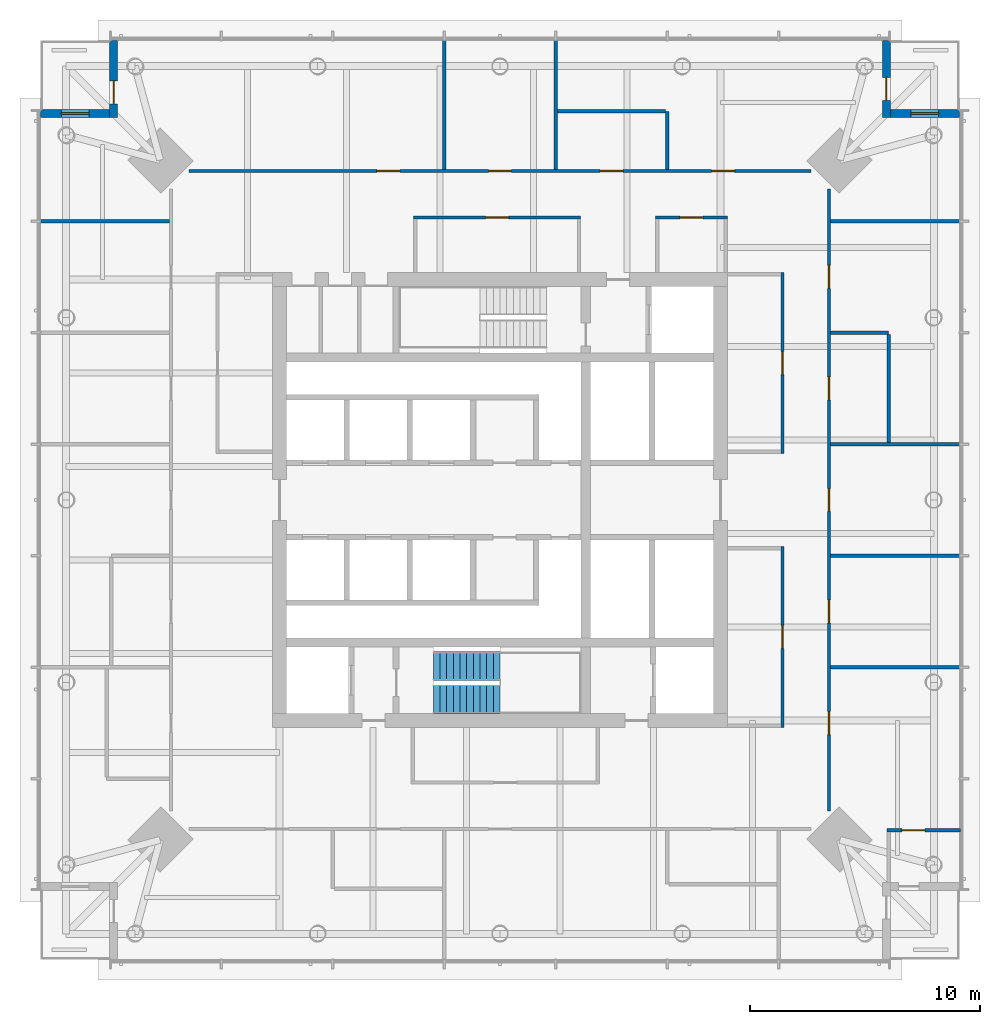
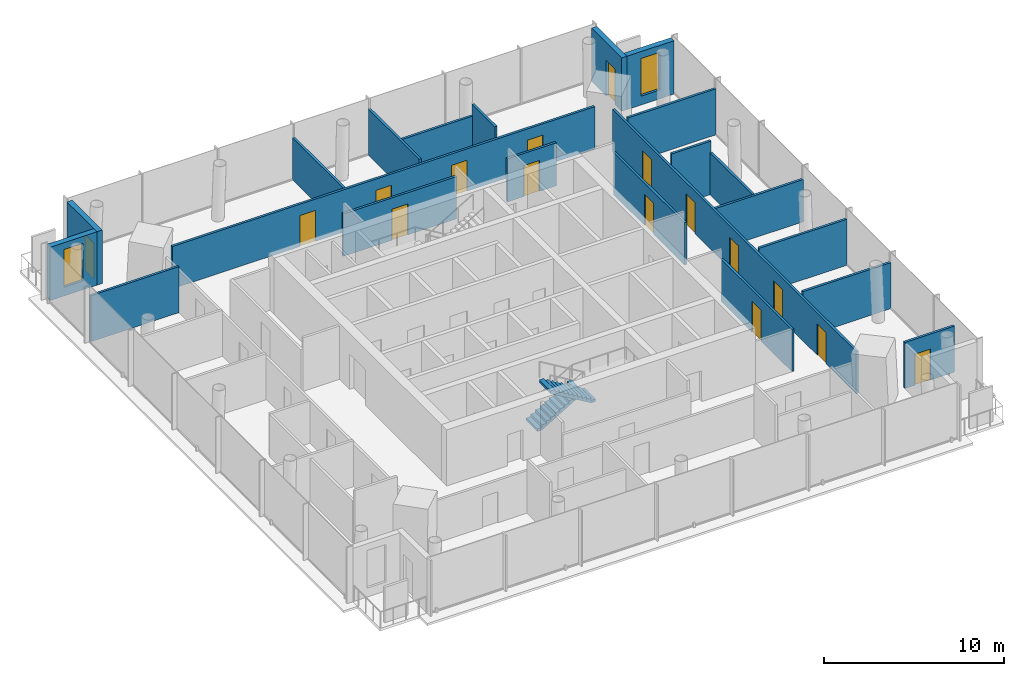
# One storey, part 6 of 10: 22 walls, 16 doors, 2 stair flights, 2 windows, 18 openings, 1 element without a shape of its own.
"""IFC4 building model written with IfcOpenShell, lengths in metres."""

from ifc_helpers import new_model, si_unit, direction, frame, frame_2d, origin, place, context, subcontext, project, spatial, polyline, rectangle, outline, extrude, material, layer, layer_set, type_object, element, fill, aggregate, save


model = new_model("IFC4")

# Units and contexts
model_context = context("Model", 3, precision=1e-05, world=origin(), true_north=direction((0.0, 1.0)))
body_context = subcontext(model_context, "Body", "Model", "MODEL_VIEW")
ifc_project = project(units=[si_unit("LENGTHUNIT", "METRE"), si_unit("AREAUNIT", "SQUARE_METRE"), si_unit("VOLUMEUNIT", "CUBIC_METRE"), si_unit("PLANEANGLEUNIT", "RADIAN"), si_unit("MASSUNIT", "GRAM", prefix="KILO")], contexts=[model_context])

# Site, building, storey
site_placement = place(None, origin())
site = spatial("IfcSite", under=ifc_project, at=site_placement, CompositionType="ELEMENT")
building_placement = place(site_placement, origin())
building = spatial("IfcBuilding", under=site, at=building_placement, Name="Ostroluk Exchange", CompositionType="ELEMENT")
storey_placement = place(building_placement, frame((0.0, 0.0, 180.60009765625)))
storey = spatial("IfcBuildingStorey", under=building, at=storey_placement, Name="L46", CompositionType="ELEMENT", Elevation=180.60009765625)

# Wall, opening, door
ifc_material_1 = material(Name="Limestone", Category="masonry")
ifc_layer_1 = layer(ifc_material_1, 0.35009765625)
ifc_layer_set_1 = layer_set([ifc_layer_1], Name="Limestone facade wall 350")
wall_type_1 = type_object("IfcWallType", Name="Limestone facade wall 350", PredefinedType="SOLIDWALL", material=ifc_layer_set_1)
wall_1_placement = place(storey_placement, frame((61.824951171875, 66.0, 0.0), z_axis=(0.0, 0.0, 1.0), x_axis=(0.0, -1.0, 0.0)))
wall_1 = element("IfcWall", 1, at=wall_1_placement, inside=storey, type_object=wall_type_1, Name="Office tower NE corner wall L46 a", PredefinedType="SOLIDWALL", context=body_context, shape_type="SweptSolid", body=[
    extrude(rectangle(XDim=3.35009765625, YDim=0.35009765625, at=frame_2d((1.675048828125, 0.0))), origin(), (0.0, 0.0, 1.0), 3.619873046875),
])
opening_1_placement = place(wall_1_placement, frame((1.60009765625, 0.0, 0.0)))
opening_1 = element("IfcOpeningElement", 2, at=opening_1_placement, cuts=wall_1, Name="Opening D-B1", PredefinedType="OPENING", context=body_context, shape_type="SweptSolid", body=[
    extrude(rectangle(XDim=1.0, YDim=2.39990234375, at=frame_2d((0.5, 1.199951171875))), frame((0.0, 0.18505859375, 0.0), z_axis=(0.0, -1.0, 0.0), x_axis=(1.0, 0.0, 0.0)), (0.0, 0.0, 1.0), 0.3701171875),
])
ifc_material_2 = material(Name="Bronze framed glazed door", Category="aluminium")
door_type_1 = type_object("IfcDoorType", Name="Balcony door 1000 x 2400", OperationType="SINGLE_SWING_LEFT", PredefinedType="DOOR", material=ifc_material_2)
door_1_placement = place(opening_1_placement, origin())
door_1 = element("IfcDoor", 3, at=door_1_placement, inside=storey, type_object=door_type_1, Name="Office tower NE balcony door L46", OperationType="SINGLE_SWING_RIGHT", OverallHeight=2.39990234375, OverallWidth=1.0, PredefinedType="DOOR", context=body_context, shape_type="SweptSolid", body=[
    extrude(rectangle(XDim=1.0, YDim=2.39990234375, at=frame_2d((0.5, 1.199951171875))), frame((0.0, 0.02490234375, 0.0), z_axis=(0.0, -1.0, 0.0), x_axis=(1.0, 0.0, 0.0)), (0.0, 0.0, 1.0), 0.050048828125),
])
fill(opening_1, door_1)

# Wall, opening, window
wall_2_placement = place(storey_placement, frame((62.0, 62.824951171875, 0.0), z_axis=(0.0, 0.0, 1.0), x_axis=(1.0, 0.0, 0.0)))
wall_2 = element("IfcWall", 4, at=wall_2_placement, inside=storey, type_object=wall_type_1, Name="Office tower NE corner wall L46 b", PredefinedType="SOLIDWALL", context=body_context, shape_type="SweptSolid", body=[
    extrude(rectangle(XDim=3.0, YDim=0.35009765625, at=frame_2d((1.5, 0.0))), origin(), (0.0, 0.0, 1.0), 3.619873046875),
])
opening_2_placement = place(wall_2_placement, frame((0.89990234375, 0.0, 0.60009765625)))
opening_2 = element("IfcOpeningElement", 5, at=opening_2_placement, cuts=wall_2, Name="Opening WN-L1", PredefinedType="OPENING", context=body_context, shape_type="SweptSolid", body=[
    extrude(rectangle(XDim=1.199951171875, YDim=2.550048828125, at=frame_2d((0.60009765625, 1.27490234375))), frame((0.0, 0.18505859375, 0.0), z_axis=(0.0, -1.0, 0.0), x_axis=(1.0, 0.0, 0.0)), (0.0, 0.0, 1.0), 0.3701171875),
])
ifc_material_3 = material(Name="Laminated clear glass", Category="glass")
window_type = type_object("IfcWindowType", Name="Lancet window 1200 x 2550", PartitioningType="SINGLE_PANEL", PredefinedType="WINDOW", material=ifc_material_3)
window_1_placement = place(opening_2_placement, origin())
window_1 = element("IfcWindow", 6, at=window_1_placement, inside=storey, type_object=window_type, Name="Office tower NE lancet window L46", OverallHeight=2.550048828125, OverallWidth=1.199951171875, PartitioningType="SINGLE_PANEL", PredefinedType="WINDOW", context=body_context, shape_type="SweptSolid", body=[
    extrude(rectangle(XDim=1.199951171875, YDim=2.550048828125, at=frame_2d((0.60009765625, 1.27490234375))), frame((0.0, 0.030029296875, 0.0), z_axis=(0.0, -1.0, 0.0), x_axis=(1.0, 0.0, 0.0)), (0.0, 0.0, 1.0), 0.06005859375),
])
fill(opening_2, window_1)

# Wall, opening, door
wall_3_placement = place(storey_placement, frame((28.175048828125, 66.0, 0.0), z_axis=(0.0, 0.0, 1.0), x_axis=(0.0, -1.0, 0.0)))
wall_3 = element("IfcWall", 7, at=wall_3_placement, inside=storey, type_object=wall_type_1, Name="Office tower NW corner wall L46 a", PredefinedType="SOLIDWALL", context=body_context, shape_type="SweptSolid", body=[
    extrude(rectangle(XDim=3.35009765625, YDim=0.35009765625, at=frame_2d((1.675048828125, 0.0))), origin(), (0.0, 0.0, 1.0), 3.619873046875),
])
opening_3_placement = place(wall_3_placement, frame((1.75, 0.0, 0.0)))
opening_3 = element("IfcOpeningElement", 8, at=opening_3_placement, cuts=wall_3, Name="Opening D-B1", PredefinedType="OPENING", context=body_context, shape_type="SweptSolid", body=[
    extrude(rectangle(XDim=1.0, YDim=2.39990234375, at=frame_2d((0.5, 1.199951171875))), frame((0.0, 0.18505859375, 0.0), z_axis=(0.0, -1.0, 0.0), x_axis=(1.0, 0.0, 0.0)), (0.0, 0.0, 1.0), 0.3701171875),
])
door_2_placement = place(opening_3_placement, origin())
door_2 = element("IfcDoor", 9, at=door_2_placement, inside=storey, type_object=door_type_1, Name="Office tower NW balcony door L46", OperationType="SINGLE_SWING_RIGHT", OverallHeight=2.39990234375, OverallWidth=1.0, PredefinedType="DOOR", context=body_context, shape_type="SweptSolid", body=[
    extrude(rectangle(XDim=1.0, YDim=2.39990234375, at=frame_2d((0.5, 1.199951171875))), frame((0.0, 0.02490234375, 0.0), z_axis=(0.0, -1.0, 0.0), x_axis=(1.0, 0.0, 0.0)), (0.0, 0.0, 1.0), 0.050048828125),
])
fill(opening_3, door_2)

# Wall, opening, window
wall_4_placement = place(storey_placement, frame((28.0, 62.824951171875, 0.0), z_axis=(0.0, 0.0, 1.0), x_axis=(-1.0, 0.0, 0.0)))
wall_4 = element("IfcWall", 10, at=wall_4_placement, inside=storey, type_object=wall_type_1, Name="Office tower NW corner wall L46 b", PredefinedType="SOLIDWALL", context=body_context, shape_type="SweptSolid", body=[
    extrude(rectangle(XDim=3.0, YDim=0.35009765625, at=frame_2d((1.5, 0.0))), origin(), (0.0, 0.0, 1.0), 3.619873046875),
])
opening_4_placement = place(wall_4_placement, frame((0.89990234375, 0.0, 0.60009765625)))
opening_4 = element("IfcOpeningElement", 11, at=opening_4_placement, cuts=wall_4, Name="Opening WN-L1", PredefinedType="OPENING", context=body_context, shape_type="SweptSolid", body=[
    extrude(rectangle(XDim=1.199951171875, YDim=2.550048828125, at=frame_2d((0.60009765625, 1.27490234375))), frame((0.0, 0.18505859375, 0.0), z_axis=(0.0, -1.0, 0.0), x_axis=(1.0, 0.0, 0.0)), (0.0, 0.0, 1.0), 0.3701171875),
])
window_2_placement = place(opening_4_placement, origin())
window_2 = element("IfcWindow", 12, at=window_2_placement, inside=storey, type_object=window_type, Name="Office tower NW lancet window L46", OverallHeight=2.550048828125, OverallWidth=1.199951171875, PartitioningType="SINGLE_PANEL", PredefinedType="WINDOW", context=body_context, shape_type="SweptSolid", body=[
    extrude(rectangle(XDim=1.199951171875, YDim=2.550048828125, at=frame_2d((0.60009765625, 1.27490234375))), frame((0.0, 0.030029296875, 0.0), z_axis=(0.0, -1.0, 0.0), x_axis=(1.0, 0.0, 0.0)), (0.0, 0.0, 1.0), 0.06005859375),
])
fill(opening_4, window_2)

# Wall, opening, door
ifc_material_4 = material(Name="Gypsum plasterboard partition", Category="gypsum")
ifc_layer_2 = layer(ifc_material_4, 0.14990234375)
ifc_layer_set_2 = layer_set([ifc_layer_2], Name="Plasterboard partition 150")
wall_type_2 = type_object("IfcWallType", Name="Plasterboard partition 150", PredefinedType="PARTITIONING", material=ifc_layer_set_2)
wall_5_placement = place(storey_placement, frame((57.300048828125, 36.10009765625, 0.0), z_axis=(0.0, 0.0, 1.0), x_axis=(0.0, 1.0, 0.0)))
wall_5 = element("IfcWall", 13, at=wall_5_placement, inside=storey, type_object=wall_type_2, Name="Partition", PredefinedType="PARTITIONING", context=body_context, shape_type="SweptSolid", body=[
    extrude(rectangle(XDim=7.875, YDim=0.14990234375, at=frame_2d((3.9375, 0.0))), origin(), (0.0, 0.0, 1.0), 2.866943359375),
])
opening_5_placement = place(wall_5_placement, frame((3.4375, 0.0, 0.0)))
opening_5 = element("IfcOpeningElement", 14, at=opening_5_placement, cuts=wall_5, Name="Opening D-03", PredefinedType="OPENING", context=body_context, shape_type="SweptSolid", body=[
    extrude(rectangle(XDim=1.0, YDim=2.10009765625, at=frame_2d((0.5, 1.050048828125))), frame((0.0, 0.0849609375, 0.0), z_axis=(0.0, -1.0, 0.0), x_axis=(1.0, 0.0, 0.0)), (0.0, 0.0, 1.0), 0.169921875),
])
ifc_material_5 = material(Name="Timber", Category="wood")
door_type_2 = type_object("IfcDoorType", Name="Internal door 1000 x 2100", OperationType="SINGLE_SWING_LEFT", PredefinedType="DOOR", material=ifc_material_5)
door_3_placement = place(opening_5_placement, origin())
door_3 = element("IfcDoor", 15, at=door_3_placement, inside=storey, type_object=door_type_2, Name="Staff room door", OperationType="SINGLE_SWING_LEFT", OverallHeight=2.10009765625, OverallWidth=1.0, PredefinedType="DOOR", context=body_context, shape_type="SweptSolid", body=[
    extrude(rectangle(XDim=1.0, YDim=2.10009765625, at=frame_2d((0.5, 1.050048828125))), frame((0.0, 0.02490234375, 0.0), z_axis=(0.0, -1.0, 0.0), x_axis=(1.0, 0.0, 0.0)), (0.0, 0.0, 1.0), 0.050048828125),
])
fill(opening_5, door_3)

wall_6_placement = place(storey_placement, frame((57.300048828125, 48.02490234375, 0.0), z_axis=(0.0, 0.0, 1.0), x_axis=(0.0, 1.0, 0.0)))
wall_6 = element("IfcWall", 16, at=wall_6_placement, inside=storey, type_object=wall_type_2, Name="Partition", PredefinedType="PARTITIONING", context=body_context, shape_type="SweptSolid", body=[
    extrude(rectangle(XDim=7.875, YDim=0.14990234375, at=frame_2d((3.9375, 0.0))), origin(), (0.0, 0.0, 1.0), 2.866943359375),
])
opening_6_placement = place(wall_6_placement, frame((3.4375, 0.0, 0.0)))
opening_6 = element("IfcOpeningElement", 17, at=opening_6_placement, cuts=wall_6, Name="Opening D-03", PredefinedType="OPENING", context=body_context, shape_type="SweptSolid", body=[
    extrude(rectangle(XDim=1.0, YDim=2.10009765625, at=frame_2d((0.5, 1.050048828125))), frame((0.0, 0.0849609375, 0.0), z_axis=(0.0, -1.0, 0.0), x_axis=(1.0, 0.0, 0.0)), (0.0, 0.0, 1.0), 0.169921875),
])
door_4_placement = place(opening_6_placement, origin())
door_4 = element("IfcDoor", 18, at=door_4_placement, inside=storey, type_object=door_type_2, Name="Staff room door", OperationType="SINGLE_SWING_LEFT", OverallHeight=2.10009765625, OverallWidth=1.0, PredefinedType="DOOR", context=body_context, shape_type="SweptSolid", body=[
    extrude(rectangle(XDim=1.0, YDim=2.10009765625, at=frame_2d((0.5, 1.050048828125))), frame((0.0, 0.02490234375, 0.0), z_axis=(0.0, -1.0, 0.0), x_axis=(1.0, 0.0, 0.0)), (0.0, 0.0, 1.0), 0.050048828125),
])
fill(opening_6, door_4)

wall_7_placement = place(storey_placement, frame((54.89990234375, 58.300048828125, 0.0), z_axis=(0.0, 0.0, 1.0), x_axis=(-1.0, 0.0, 0.0)))
wall_7 = element("IfcWall", 19, at=wall_7_placement, inside=storey, type_object=wall_type_2, Name="Partition", PredefinedType="PARTITIONING", context=body_context, shape_type="SweptSolid", body=[
    extrude(rectangle(XDim=3.135009765625, YDim=0.14990234375, at=frame_2d((1.5673828125, 0.0))), origin(), (0.0, 0.0, 1.0), 2.919921875),
])
opening_7_placement = place(wall_7_placement, frame((1.0673828125, 0.0, 0.0)))
opening_7 = element("IfcOpeningElement", 20, at=opening_7_placement, cuts=wall_7, Name="Opening D-03", PredefinedType="OPENING", context=body_context, shape_type="SweptSolid", body=[
    extrude(rectangle(XDim=1.0, YDim=2.10009765625, at=frame_2d((0.5, 1.050048828125))), frame((0.0, 0.0849609375, 0.0), z_axis=(0.0, -1.0, 0.0), x_axis=(1.0, 0.0, 0.0)), (0.0, 0.0, 1.0), 0.169921875),
])
door_5_placement = place(opening_7_placement, origin())
door_5 = element("IfcDoor", 21, at=door_5_placement, inside=storey, type_object=door_type_2, Name="Staff room door", OperationType="SINGLE_SWING_RIGHT", OverallHeight=2.10009765625, OverallWidth=1.0, PredefinedType="DOOR", context=body_context, shape_type="SweptSolid", body=[
    extrude(rectangle(XDim=1.0, YDim=2.10009765625, at=frame_2d((0.5, 1.050048828125))), frame((0.0, 0.02490234375, 0.0), z_axis=(0.0, -1.0, 0.0), x_axis=(1.0, 0.0, 0.0)), (0.0, 0.0, 1.0), 0.050048828125),
])
fill(opening_7, door_5)

wall_8_placement = place(storey_placement, frame((48.514892578125, 58.300048828125, 0.0), z_axis=(0.0, 0.0, 1.0), x_axis=(-1.0, 0.0, 0.0)))
wall_8 = element("IfcWall", 22, at=wall_8_placement, inside=storey, type_object=wall_type_2, Name="Partition", PredefinedType="PARTITIONING", context=body_context, shape_type="SweptSolid", body=[
    extrude(rectangle(XDim=7.27783203125, YDim=0.14990234375, at=frame_2d((3.638916015625, 0.0))), origin(), (0.0, 0.0, 1.0), 2.866943359375),
])
opening_8_placement = place(wall_8_placement, frame((3.138916015625, 0.0, 0.0)))
opening_8 = element("IfcOpeningElement", 23, at=opening_8_placement, cuts=wall_8, Name="Opening D-03", PredefinedType="OPENING", context=body_context, shape_type="SweptSolid", body=[
    extrude(rectangle(XDim=1.0, YDim=2.10009765625, at=frame_2d((0.5, 1.050048828125))), frame((0.0, 0.0849609375, 0.0), z_axis=(0.0, -1.0, 0.0), x_axis=(1.0, 0.0, 0.0)), (0.0, 0.0, 1.0), 0.169921875),
])
door_6_placement = place(opening_8_placement, origin())
door_6 = element("IfcDoor", 24, at=door_6_placement, inside=storey, type_object=door_type_2, Name="Staff room door", OperationType="SINGLE_SWING_RIGHT", OverallHeight=2.10009765625, OverallWidth=1.0, PredefinedType="DOOR", context=body_context, shape_type="SweptSolid", body=[
    extrude(rectangle(XDim=1.0, YDim=2.10009765625, at=frame_2d((0.5, 1.050048828125))), frame((0.0, 0.02490234375, 0.0), z_axis=(0.0, -1.0, 0.0), x_axis=(1.0, 0.0, 0.0)), (0.0, 0.0, 1.0), 0.050048828125),
])
fill(opening_8, door_6)

# Wall
wall_9_placement = place(storey_placement, frame((61.925048828125, 48.503662109375, 0.0), z_axis=(0.0, 0.0, 1.0), x_axis=(0.0, 1.0, 0.0)))
element("IfcWall", 25, at=wall_9_placement, inside=storey, type_object=wall_type_2, Name="Partition", PredefinedType="PARTITIONING", context=body_context, shape_type="SweptSolid", body=[
    extrude(rectangle(XDim=4.70703125, YDim=0.14990234375, at=frame_2d((2.353515625, 0.0))), origin(), (0.0, 0.0, 1.0), 2.866943359375),
])

# Wall, openings, doors
wall_10_placement = place(storey_placement, frame((59.324951171875, 32.45703125, 0.0), z_axis=(0.0, 0.0, 1.0), x_axis=(0.0, 1.0, 0.0)))
wall_10 = element("IfcWall", 26, at=wall_10_placement, inside=storey, type_object=wall_type_2, Name="Partition", PredefinedType="PARTITIONING", context=body_context, shape_type="SweptSolid", body=[
    extrude(rectangle(XDim=27.0859375, YDim=0.14990234375, at=frame_2d((13.54296875, 0.0))), origin(), (0.0, 0.0, 1.0), 2.866943359375),
])
opening_9_placement = place(wall_10_placement, frame((3.32861328125, 0.0, 0.0)))
opening_9 = element("IfcOpeningElement", 27, at=opening_9_placement, cuts=wall_10, Name="Opening D-03", PredefinedType="OPENING", context=body_context, shape_type="SweptSolid", body=[
    extrude(rectangle(XDim=1.0, YDim=2.10009765625, at=frame_2d((0.5, 1.050048828125))), frame((0.0, 0.0849609375, 0.0), z_axis=(0.0, -1.0, 0.0), x_axis=(1.0, 0.0, 0.0)), (0.0, 0.0, 1.0), 0.169921875),
])
opening_10_placement = place(wall_10_placement, frame((8.185791015625, 0.0, 0.0)))
opening_10 = element("IfcOpeningElement", 28, at=opening_10_placement, cuts=wall_10, Name="Opening D-03", PredefinedType="OPENING", context=body_context, shape_type="SweptSolid", body=[
    extrude(rectangle(XDim=1.0, YDim=2.10009765625, at=frame_2d((0.5, 1.050048828125))), frame((0.0, 0.0849609375, 0.0), z_axis=(0.0, -1.0, 0.0), x_axis=(1.0, 0.0, 0.0)), (0.0, 0.0, 1.0), 0.169921875),
])
opening_11_placement = place(wall_10_placement, frame((13.04296875, 0.0, 0.0)))
opening_11 = element("IfcOpeningElement", 29, at=opening_11_placement, cuts=wall_10, Name="Opening D-03", PredefinedType="OPENING", context=body_context, shape_type="SweptSolid", body=[
    extrude(rectangle(XDim=1.0, YDim=2.10009765625, at=frame_2d((0.5, 1.050048828125))), frame((0.0, 0.0849609375, 0.0), z_axis=(0.0, -1.0, 0.0), x_axis=(1.0, 0.0, 0.0)), (0.0, 0.0, 1.0), 0.169921875),
])
opening_12_placement = place(wall_10_placement, frame((17.900146484375, 0.0, 0.0)))
opening_12 = element("IfcOpeningElement", 30, at=opening_12_placement, cuts=wall_10, Name="Opening D-03", PredefinedType="OPENING", context=body_context, shape_type="SweptSolid", body=[
    extrude(rectangle(XDim=1.0, YDim=2.10009765625, at=frame_2d((0.5, 1.050048828125))), frame((0.0, 0.0849609375, 0.0), z_axis=(0.0, -1.0, 0.0), x_axis=(1.0, 0.0, 0.0)), (0.0, 0.0, 1.0), 0.169921875),
])
opening_13_placement = place(wall_10_placement, frame((22.75732421875, 0.0, 0.0)))
opening_13 = element("IfcOpeningElement", 31, at=opening_13_placement, cuts=wall_10, Name="Opening D-03", PredefinedType="OPENING", context=body_context, shape_type="SweptSolid", body=[
    extrude(rectangle(XDim=1.0, YDim=2.10009765625, at=frame_2d((0.5, 1.050048828125))), frame((0.0, 0.0849609375, 0.0), z_axis=(0.0, -1.0, 0.0), x_axis=(1.0, 0.0, 0.0)), (0.0, 0.0, 1.0), 0.169921875),
])
door_7_placement = place(opening_9_placement, origin())
door_7 = element("IfcDoor", 32, at=door_7_placement, inside=storey, type_object=door_type_2, Name="Office suite door", OperationType="SINGLE_SWING_LEFT", OverallHeight=2.10009765625, OverallWidth=1.0, PredefinedType="DOOR", context=body_context, shape_type="SweptSolid", body=[
    extrude(rectangle(XDim=1.0, YDim=2.10009765625, at=frame_2d((0.5, 1.050048828125))), frame((0.0, 0.02490234375, 0.0), z_axis=(0.0, -1.0, 0.0), x_axis=(1.0, 0.0, 0.0)), (0.0, 0.0, 1.0), 0.050048828125),
])
fill(opening_9, door_7)
door_8_placement = place(opening_10_placement, origin())
door_8 = element("IfcDoor", 33, at=door_8_placement, inside=storey, type_object=door_type_2, Name="Meeting room door", OperationType="SINGLE_SWING_LEFT", OverallHeight=2.10009765625, OverallWidth=1.0, PredefinedType="DOOR", context=body_context, shape_type="SweptSolid", body=[
    extrude(rectangle(XDim=1.0, YDim=2.10009765625, at=frame_2d((0.5, 1.050048828125))), frame((0.0, 0.02490234375, 0.0), z_axis=(0.0, -1.0, 0.0), x_axis=(1.0, 0.0, 0.0)), (0.0, 0.0, 1.0), 0.050048828125),
])
fill(opening_10, door_8)
door_9_placement = place(opening_11_placement, origin())
door_9 = element("IfcDoor", 34, at=door_9_placement, inside=storey, type_object=door_type_2, Name="Meeting room door", OperationType="SINGLE_SWING_LEFT", OverallHeight=2.10009765625, OverallWidth=1.0, PredefinedType="DOOR", context=body_context, shape_type="SweptSolid", body=[
    extrude(rectangle(XDim=1.0, YDim=2.10009765625, at=frame_2d((0.5, 1.050048828125))), frame((0.0, 0.02490234375, 0.0), z_axis=(0.0, -1.0, 0.0), x_axis=(1.0, 0.0, 0.0)), (0.0, 0.0, 1.0), 0.050048828125),
])
fill(opening_11, door_9)
door_10_placement = place(opening_12_placement, origin())
door_10 = element("IfcDoor", 35, at=door_10_placement, inside=storey, type_object=door_type_2, Name="Pantry door", OperationType="SINGLE_SWING_RIGHT", OverallHeight=2.10009765625, OverallWidth=1.0, PredefinedType="DOOR", context=body_context, shape_type="SweptSolid", body=[
    extrude(rectangle(XDim=1.0, YDim=2.10009765625, at=frame_2d((0.5, 1.050048828125))), frame((0.0, 0.02490234375, 0.0), z_axis=(0.0, -1.0, 0.0), x_axis=(1.0, 0.0, 0.0)), (0.0, 0.0, 1.0), 0.050048828125),
])
fill(opening_12, door_10)
door_11_placement = place(opening_13_placement, origin())
door_11 = element("IfcDoor", 36, at=door_11_placement, inside=storey, type_object=door_type_2, Name="Office door", OperationType="SINGLE_SWING_RIGHT", OverallHeight=2.10009765625, OverallWidth=1.0, PredefinedType="DOOR", context=body_context, shape_type="SweptSolid", body=[
    extrude(rectangle(XDim=1.0, YDim=2.10009765625, at=frame_2d((0.5, 1.050048828125))), frame((0.0, 0.02490234375, 0.0), z_axis=(0.0, -1.0, 0.0), x_axis=(1.0, 0.0, 0.0)), (0.0, 0.0, 1.0), 0.050048828125),
])
fill(opening_13, door_11)

# Walls
for number, where, z_axis, x_axis, name in (
    (37, (59.39990234375, 38.71435546875, 0.0), (0.0, 0.0, 1.0), (1.0, 0.0, 0.0), "Partition"),
    (38, (59.39990234375, 43.571533203125, 0.0), (0.0, 0.0, 1.0), (1.0, 0.0, 0.0), "Partition"),
):
    element("IfcWall", number, at=place(storey_placement, frame(where, z_axis=z_axis, x_axis=x_axis)), inside=storey, type_object=wall_type_2, Name=name, PredefinedType="PARTITIONING", context=body_context, shape_type="SweptSolid", body=[
        extrude(rectangle(XDim=5.64013671875, YDim=0.14990234375, at=frame_2d((2.820068359375, 0.0))), origin(), (0.0, 0.0, 1.0), 3.119873046875),
    ])
wall_11_placement = place(storey_placement, frame((59.39990234375, 48.428466796875, 0.0), z_axis=(0.0, 0.0, 1.0), x_axis=(1.0, 0.0, 0.0)))
element("IfcWall", 39, at=wall_11_placement, inside=storey, type_object=wall_type_2, Name="Partition", PredefinedType="PARTITIONING", context=body_context, shape_type="SweptSolid", body=[
    extrude(rectangle(XDim=5.64013671875, YDim=0.14990234375, at=frame_2d((2.820068359375, 0.0))), origin(), (0.0, 0.0, 1.0), 2.866943359375),
])
wall_12_placement = place(storey_placement, frame((59.39990234375, 53.28564453125, 0.0), z_axis=(0.0, 0.0, 1.0), x_axis=(1.0, 0.0, 0.0)))
element("IfcWall", 40, at=wall_12_placement, inside=storey, type_object=wall_type_2, Name="Partition", PredefinedType="PARTITIONING", context=body_context, shape_type="SweptSolid", body=[
    extrude(rectangle(XDim=2.525146484375, YDim=0.14990234375, at=frame_2d((1.2626953125, 0.0))), origin(), (0.0, 0.0, 1.0), 3.619873046875),
])
wall_13_placement = place(storey_placement, frame((59.39990234375, 58.142822265625, 0.0), z_axis=(0.0, 0.0, 1.0), x_axis=(1.0, 0.0, 0.0)))
element("IfcWall", 41, at=wall_13_placement, inside=storey, type_object=wall_type_2, Name="Partition", PredefinedType="PARTITIONING", context=body_context, shape_type="SweptSolid", body=[
    extrude(rectangle(XDim=5.64013671875, YDim=0.14990234375, at=frame_2d((2.820068359375, 0.0))), origin(), (0.0, 0.0, 1.0), 3.119873046875),
])
wall_14_placement = place(storey_placement, frame((52.210693359375, 62.925048828125, 0.0), z_axis=(0.0, 0.0, 1.0), x_axis=(-1.0, 0.0, 0.0)))
element("IfcWall", 42, at=wall_14_placement, inside=storey, type_object=wall_type_2, Name="Partition", PredefinedType="PARTITIONING", context=body_context, shape_type="SweptSolid", body=[
    extrude(rectangle(XDim=4.70703125, YDim=0.14990234375, at=frame_2d((2.353515625, 0.0))), origin(), (0.0, 0.0, 1.0), 2.866943359375),
])

# Wall, openings, doors
wall_15_placement = place(storey_placement, frame((58.54296875, 60.324951171875, 0.0), z_axis=(0.0, 0.0, 1.0), x_axis=(-1.0, 0.0, 0.0)))
wall_15 = element("IfcWall", 43, at=wall_15_placement, inside=storey, type_object=wall_type_2, Name="Partition", PredefinedType="PARTITIONING", context=body_context, shape_type="SweptSolid", body=[
    extrude(rectangle(XDim=27.0859375, YDim=0.14990234375, at=frame_2d((13.54296875, 0.0))), origin(), (0.0, 0.0, 1.0), 2.866943359375),
])
opening_14_placement = place(wall_15_placement, frame((3.32861328125, 0.0, 0.0)))
opening_14 = element("IfcOpeningElement", 44, at=opening_14_placement, cuts=wall_15, Name="Opening D-03", PredefinedType="OPENING", context=body_context, shape_type="SweptSolid", body=[
    extrude(rectangle(XDim=1.0, YDim=2.10009765625, at=frame_2d((0.5, 1.050048828125))), frame((0.0, 0.0849609375, 0.0), z_axis=(0.0, -1.0, 0.0), x_axis=(1.0, 0.0, 0.0)), (0.0, 0.0, 1.0), 0.169921875),
])
opening_15_placement = place(wall_15_placement, frame((8.185791015625, 0.0, 0.0)))
opening_15 = element("IfcOpeningElement", 45, at=opening_15_placement, cuts=wall_15, Name="Opening D-03", PredefinedType="OPENING", context=body_context, shape_type="SweptSolid", body=[
    extrude(rectangle(XDim=1.0, YDim=2.10009765625, at=frame_2d((0.5, 1.050048828125))), frame((0.0, 0.0849609375, 0.0), z_axis=(0.0, -1.0, 0.0), x_axis=(1.0, 0.0, 0.0)), (0.0, 0.0, 1.0), 0.169921875),
])
opening_16_placement = place(wall_15_placement, frame((13.04296875, 0.0, 0.0)))
opening_16 = element("IfcOpeningElement", 46, at=opening_16_placement, cuts=wall_15, Name="Opening D-03", PredefinedType="OPENING", context=body_context, shape_type="SweptSolid", body=[
    extrude(rectangle(XDim=1.0, YDim=2.10009765625, at=frame_2d((0.5, 1.050048828125))), frame((0.0, 0.0849609375, 0.0), z_axis=(0.0, -1.0, 0.0), x_axis=(1.0, 0.0, 0.0)), (0.0, 0.0, 1.0), 0.169921875),
])
opening_17_placement = place(wall_15_placement, frame((17.900146484375, 0.0, 0.0)))
opening_17 = element("IfcOpeningElement", 47, at=opening_17_placement, cuts=wall_15, Name="Opening D-03", PredefinedType="OPENING", context=body_context, shape_type="SweptSolid", body=[
    extrude(rectangle(XDim=1.0, YDim=2.10009765625, at=frame_2d((0.5, 1.050048828125))), frame((0.0, 0.0849609375, 0.0), z_axis=(0.0, -1.0, 0.0), x_axis=(1.0, 0.0, 0.0)), (0.0, 0.0, 1.0), 0.169921875),
])
door_12_placement = place(opening_14_placement, origin())
door_12 = element("IfcDoor", 48, at=door_12_placement, inside=storey, type_object=door_type_2, Name="Office suite door", OperationType="SINGLE_SWING_LEFT", OverallHeight=2.10009765625, OverallWidth=1.0, PredefinedType="DOOR", context=body_context, shape_type="SweptSolid", body=[
    extrude(rectangle(XDim=1.0, YDim=2.10009765625, at=frame_2d((0.5, 1.050048828125))), frame((0.0, 0.02490234375, 0.0), z_axis=(0.0, -1.0, 0.0), x_axis=(1.0, 0.0, 0.0)), (0.0, 0.0, 1.0), 0.050048828125),
])
fill(opening_14, door_12)
door_13_placement = place(opening_15_placement, origin())
door_13 = element("IfcDoor", 49, at=door_13_placement, inside=storey, type_object=door_type_2, Name="Pantry door", OperationType="SINGLE_SWING_LEFT", OverallHeight=2.10009765625, OverallWidth=1.0, PredefinedType="DOOR", context=body_context, shape_type="SweptSolid", body=[
    extrude(rectangle(XDim=1.0, YDim=2.10009765625, at=frame_2d((0.5, 1.050048828125))), frame((0.0, 0.02490234375, 0.0), z_axis=(0.0, -1.0, 0.0), x_axis=(1.0, 0.0, 0.0)), (0.0, 0.0, 1.0), 0.050048828125),
])
fill(opening_15, door_13)
door_14_placement = place(opening_16_placement, origin())
door_14 = element("IfcDoor", 50, at=door_14_placement, inside=storey, type_object=door_type_2, Name="Office door", OperationType="SINGLE_SWING_LEFT", OverallHeight=2.10009765625, OverallWidth=1.0, PredefinedType="DOOR", context=body_context, shape_type="SweptSolid", body=[
    extrude(rectangle(XDim=1.0, YDim=2.10009765625, at=frame_2d((0.5, 1.050048828125))), frame((0.0, 0.02490234375, 0.0), z_axis=(0.0, -1.0, 0.0), x_axis=(1.0, 0.0, 0.0)), (0.0, 0.0, 1.0), 0.050048828125),
])
fill(opening_16, door_14)
door_15_placement = place(opening_17_placement, origin())
door_15 = element("IfcDoor", 51, at=door_15_placement, inside=storey, type_object=door_type_2, Name="Office door", OperationType="SINGLE_SWING_RIGHT", OverallHeight=2.10009765625, OverallWidth=1.0, PredefinedType="DOOR", context=body_context, shape_type="SweptSolid", body=[
    extrude(rectangle(XDim=1.0, YDim=2.10009765625, at=frame_2d((0.5, 1.050048828125))), frame((0.0, 0.02490234375, 0.0), z_axis=(0.0, -1.0, 0.0), x_axis=(1.0, 0.0, 0.0)), (0.0, 0.0, 1.0), 0.050048828125),
])
fill(opening_17, door_15)

# Walls
wall_16_placement = place(storey_placement, frame((52.28564453125, 60.39990234375, 0.0), z_axis=(0.0, 0.0, 1.0), x_axis=(0.0, 1.0, 0.0)))
element("IfcWall", 52, at=wall_16_placement, inside=storey, type_object=wall_type_2, Name="Partition", PredefinedType="PARTITIONING", context=body_context, shape_type="SweptSolid", body=[
    extrude(rectangle(XDim=2.525146484375, YDim=0.14990234375, at=frame_2d((1.2626953125, 0.0))), origin(), (0.0, 0.0, 1.0), 3.619873046875),
])
wall_17_placement = place(storey_placement, frame((47.428466796875, 60.39990234375, 0.0), z_axis=(0.0, 0.0, 1.0), x_axis=(0.0, 1.0, 0.0)))
element("IfcWall", 53, at=wall_17_placement, inside=storey, type_object=wall_type_2, Name="Partition", PredefinedType="PARTITIONING", context=body_context, shape_type="SweptSolid", body=[
    extrude(rectangle(XDim=5.64013671875, YDim=0.14990234375, at=frame_2d((2.820068359375, 0.0))), origin(), (0.0, 0.0, 1.0), 3.119873046875),
])
wall_18_placement = place(storey_placement, frame((42.571533203125, 60.39990234375, 0.0), z_axis=(0.0, 0.0, 1.0), x_axis=(0.0, 1.0, 0.0)))
element("IfcWall", 54, at=wall_18_placement, inside=storey, type_object=wall_type_2, Name="Partition", PredefinedType="PARTITIONING", context=body_context, shape_type="SweptSolid", body=[
    extrude(rectangle(XDim=5.64013671875, YDim=0.14990234375, at=frame_2d((2.820068359375, 0.0))), origin(), (0.0, 0.0, 1.0), 2.866943359375),
])
wall_19_placement = place(storey_placement, frame((30.60009765625, 58.142822265625, 0.0), z_axis=(0.0, 0.0, 1.0), x_axis=(-1.0, 0.0, 0.0)))
element("IfcWall", 55, at=wall_19_placement, inside=storey, type_object=wall_type_2, Name="Partition", PredefinedType="PARTITIONING", context=body_context, shape_type="SweptSolid", body=[
    extrude(rectangle(XDim=5.64013671875, YDim=0.14990234375, at=frame_2d((2.820068359375, 0.0))), origin(), (0.0, 0.0, 1.0), 3.119873046875),
])

# Wall, opening, door
wall_20_placement = place(storey_placement, frame((61.85009765625, 31.625, 0.0), z_axis=(0.0, 0.0, 1.0), x_axis=(1.0, 0.0, 0.0)))
wall_20 = element("IfcWall", 56, at=wall_20_placement, inside=storey, type_object=wall_type_2, Name="Partition", PredefinedType="PARTITIONING", context=body_context, shape_type="SweptSolid", body=[
    extrude(rectangle(XDim=3.18994140625, YDim=0.14990234375, at=frame_2d((1.594970703125, 0.0))), origin(), (0.0, 0.0, 1.0), 3.119873046875),
])
opening_18_placement = place(wall_20_placement, frame((0.64990234375, 0.0, 0.0)))
opening_18 = element("IfcOpeningElement", 57, at=opening_18_placement, cuts=wall_20, Name="Opening D-03", PredefinedType="OPENING", context=body_context, shape_type="SweptSolid", body=[
    extrude(rectangle(XDim=1.0, YDim=2.10009765625, at=frame_2d((0.5, 1.050048828125))), frame((0.0, 0.0849609375, 0.0), z_axis=(0.0, -1.0, 0.0), x_axis=(1.0, 0.0, 0.0)), (0.0, 0.0, 1.0), 0.169921875),
])
door_16_placement = place(opening_18_placement, origin())
door_16 = element("IfcDoor", 58, at=door_16_placement, inside=storey, type_object=door_type_2, Name="Facade maintenance store door", OperationType="SINGLE_SWING_LEFT", OverallHeight=2.10009765625, OverallWidth=1.0, PredefinedType="DOOR", context=body_context, shape_type="SweptSolid", body=[
    extrude(rectangle(XDim=1.0, YDim=2.10009765625, at=frame_2d((0.5, 1.050048828125))), frame((0.0, 0.02490234375, 0.0), z_axis=(0.0, -1.0, 0.0), x_axis=(1.0, 0.0, 0.0)), (0.0, 0.0, 1.0), 0.050048828125),
])
fill(opening_18, door_16)

# Stair, stair flights
ifc_material_6 = material(Name="Concrete C30/37", Category="concrete")
stair_type = type_object("IfcStairType", Name="Exit stair half turn 3800", PredefinedType="HALF_TURN_STAIR", material=ifc_material_6)
stair_placement = place(storey_placement, origin())
stair = element("IfcStair", 59, at=stair_placement, inside=storey, type_object=stair_type, Name="Stair T1-S1 L46", PredefinedType="HALF_TURN_STAIR")
ifc_material_7 = material(Name="Concrete C30/37", Category="concrete")
stair_flight_type = type_object("IfcStairFlightType", Name="Stair flight 11 risers 172.7 x 290", PredefinedType="STRAIGHT", material=ifc_material_7)
stair_flight_1_placement = place(storey_placement, frame((42.10009765625, 38.77490234375, 0.0), z_axis=(0.0, 0.0, 1.0), x_axis=(1.0, 0.0, 0.0)))
stair_flight_1 = element("IfcStairFlight", 60, at=stair_flight_1_placement, type_object=stair_flight_type, Name="T1-S1 flight 1", NumberOfRisers=11, NumberOfTreads=10, PredefinedType="STRAIGHT", RiserHeight=0.172727273, TreadLength=0.29, context=body_context, shape_type="SweptSolid", body=[
    extrude(outline(polyline([(0.0, 0.0), (0.0, 0.172607421875), (0.2900390625, 0.172607421875), (0.2900390625, 0.345458984375), (0.580078125, 0.345458984375), (0.580078125, 0.51806640625), (0.8701171875, 0.51806640625), (0.8701171875, 0.69091796875), (1.159912109375, 0.69091796875), (1.159912109375, 0.863525390625), (1.449951171875, 0.863525390625), (1.449951171875, 1.036376953125), (1.739990234375, 1.036376953125), (1.739990234375, 1.208984375), (2.030029296875, 1.208984375), (2.030029296875, 1.3818359375), (2.320068359375, 1.3818359375), (2.320068359375, 1.554443359375), (2.610107421875, 1.554443359375), (2.610107421875, 1.727294921875), (2.89990234375, 1.727294921875), (2.89990234375, 1.89990234375), (2.89990234375, 1.552734375), (0.29296875, 0.0), (0.0, 0.0)])), frame((0.0, 0.625, 0.0), z_axis=(0.0, -1.0, 0.0), x_axis=(1.0, 0.0, 0.0)), (0.0, 0.0, 1.0), 1.25),
])
stair_flight_2_placement = place(storey_placement, frame((45.0, 37.324951171875, 1.89990234375), z_axis=(0.0, 0.0, 1.0), x_axis=(-1.0, 0.0, 0.0)))
stair_flight_2 = element("IfcStairFlight", 61, at=stair_flight_2_placement, type_object=stair_flight_type, Name="T1-S1 flight 2", NumberOfRisers=11, NumberOfTreads=10, PredefinedType="STRAIGHT", RiserHeight=0.172727273, TreadLength=0.29, context=body_context, shape_type="SweptSolid", body=[
    extrude(outline(polyline([(0.0, 0.0), (0.0, 0.172607421875), (0.2900390625, 0.172607421875), (0.2900390625, 0.345458984375), (0.580078125, 0.345458984375), (0.580078125, 0.51806640625), (0.8701171875, 0.51806640625), (0.8701171875, 0.69091796875), (1.159912109375, 0.69091796875), (1.159912109375, 0.863525390625), (1.449951171875, 0.863525390625), (1.449951171875, 1.036376953125), (1.739990234375, 1.036376953125), (1.739990234375, 1.208984375), (2.030029296875, 1.208984375), (2.030029296875, 1.3818359375), (2.320068359375, 1.3818359375), (2.320068359375, 1.554443359375), (2.610107421875, 1.554443359375), (2.610107421875, 1.727294921875), (2.89990234375, 1.727294921875), (2.89990234375, 1.89990234375), (2.89990234375, 1.552734375), (0.29296875, 0.0), (0.0, 0.0)])), frame((0.0, 0.625, 0.0), z_axis=(0.0, -1.0, 0.0), x_axis=(1.0, 0.0, 0.0)), (0.0, 0.0, 1.0), 1.25),
])
aggregate(stair, [stair_flight_1, stair_flight_2])

save(model, "model.ifc")
